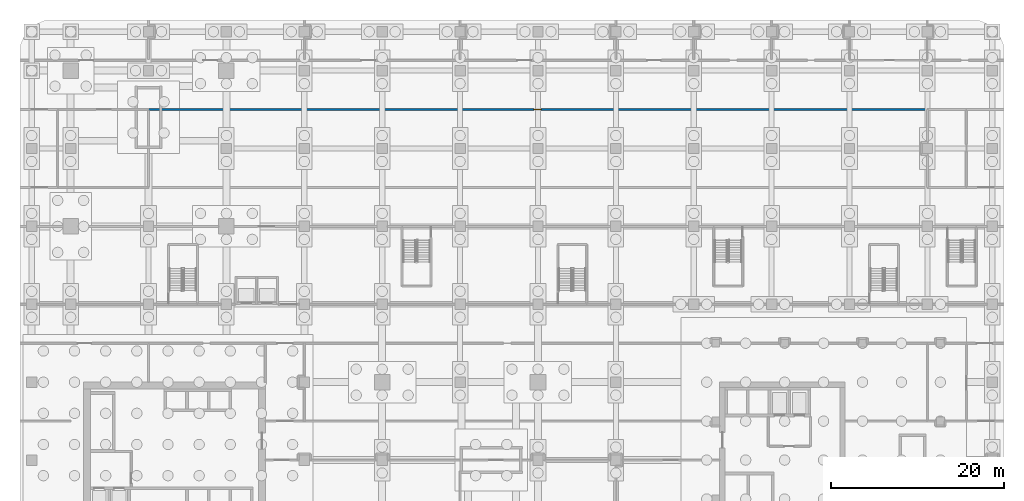
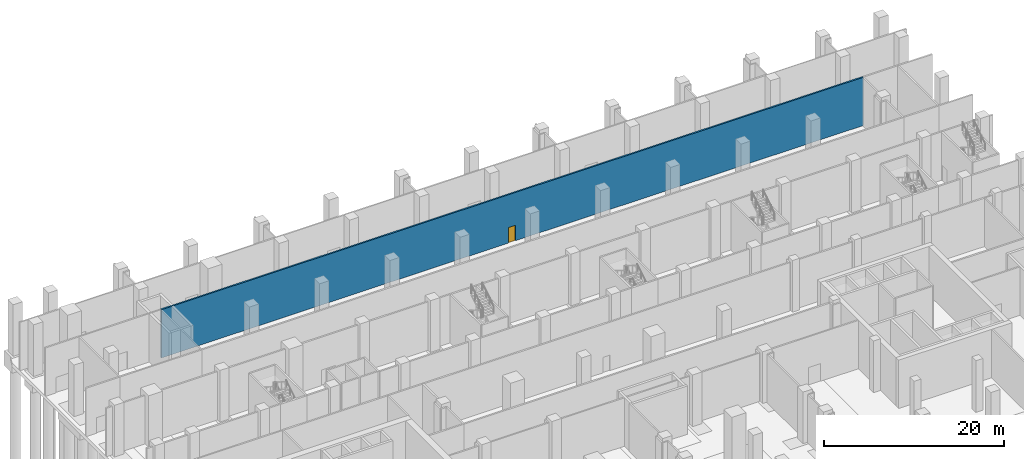
# One storey, part 12 of 23: 1 door, 1 wall, 1 opening.
"""IFC4 building model written with IfcOpenShell, lengths in metres."""

from ifc_helpers import new_model, si_unit, direction, frame, frame_2d, origin, place, context, subcontext, project, spatial, rectangle, extrude, material, layer, layer_set, type_object, element, fill, save


model = new_model("IFC4")

# Units and contexts
model_context = context("Model", 3, precision=1e-05, world=origin(), true_north=direction((0.0, 1.0)))
body_context = subcontext(model_context, "Body", "Model", "MODEL_VIEW")
ifc_project = project(units=[si_unit("LENGTHUNIT", "METRE"), si_unit("AREAUNIT", "SQUARE_METRE"), si_unit("VOLUMEUNIT", "CUBIC_METRE"), si_unit("PLANEANGLEUNIT", "RADIAN"), si_unit("MASSUNIT", "GRAM", prefix="KILO")], contexts=[model_context])

# Site, building, storey
site_placement = place(None, origin())
site = spatial("IfcSite", under=ifc_project, at=site_placement, CompositionType="ELEMENT")
building_placement = place(site_placement, origin())
building = spatial("IfcBuilding", under=site, at=building_placement, Name="Plateau Cross Towers", CompositionType="ELEMENT")
storey_placement = place(building_placement, frame((0.0, 0.0, -7.0)))
storey = spatial("IfcBuildingStorey", under=building, at=storey_placement, Name="B1", CompositionType="ELEMENT", Elevation=-7.0)

# Wall, opening, door
ifc_material_1 = material(Name="Gypsum board on steel studs, two layers each side", Category="steel")
ifc_layer = layer(ifc_material_1, 0.199951171875)
ifc_layer_set = layer_set([ifc_layer], Name="Gypsum board on steel studs, two layers each side")
wall_type = type_object("IfcWallType", Name="Podium compartment wall 200", PredefinedType="PARTITIONING", material=ifc_layer_set)
wall_placement = place(storey_placement, frame((99.0, 49.5, 0.0), z_axis=(0.0, 0.0, 1.0), x_axis=(-1.0, 0.0, 0.0)))
wall = element("IfcWall", 1, at=wall_placement, inside=storey, type_object=wall_type, Name="Partition wall", PredefinedType="PARTITIONING", context=body_context, shape_type="SweptSolid", body=[
    extrude(rectangle(XDim=90.0, YDim=0.199951171875, at=frame_2d((45.0, 0.0))), origin(), (0.0, 0.0, 1.0), 6.550048828125),
])
opening_placement = place(wall_placement, frame((44.60009765625, 0.0, 0.0)))
opening = element("IfcOpeningElement", 2, at=opening_placement, cuts=wall, Name="Opening B1-09", PredefinedType="OPENING", context=body_context, shape_type="SweptSolid", body=[
    extrude(rectangle(XDim=0.89990234375, YDim=2.10009765625, at=frame_2d((0.449951171875, 1.050048828125))), frame((0.0, 0.10986328125, 0.0), z_axis=(0.0, -1.0, 0.0), x_axis=(1.0, 0.0, 0.0)), (0.0, 0.0, 1.0), 0.219970703125),
])
ifc_material_2 = material(Name="Timber, fire-resisting leaf", Category="wood")
door_type = type_object("IfcDoorType", Name="Podium service door 900", OperationType="NOTDEFINED", PredefinedType="DOOR", material=ifc_material_2)
door_placement = place(opening_placement, origin())
door = element("IfcDoor", 3, at=door_placement, inside=storey, type_object=door_type, Name="Door B1-09", OperationType="SINGLE_SWING_LEFT", OverallHeight=2.10009765625, OverallWidth=0.89990234375, PredefinedType="DOOR", context=body_context, shape_type="SweptSolid", body=[
    extrude(rectangle(XDim=0.89990234375, YDim=2.10009765625, at=frame_2d((0.449951171875, 1.050048828125))), frame((0.0, 0.02490234375, 0.0), z_axis=(0.0, -1.0, 0.0), x_axis=(1.0, 0.0, 0.0)), (0.0, 0.0, 1.0), 0.050048828125),
])
fill(opening, door)

save(model, "model.ifc")
